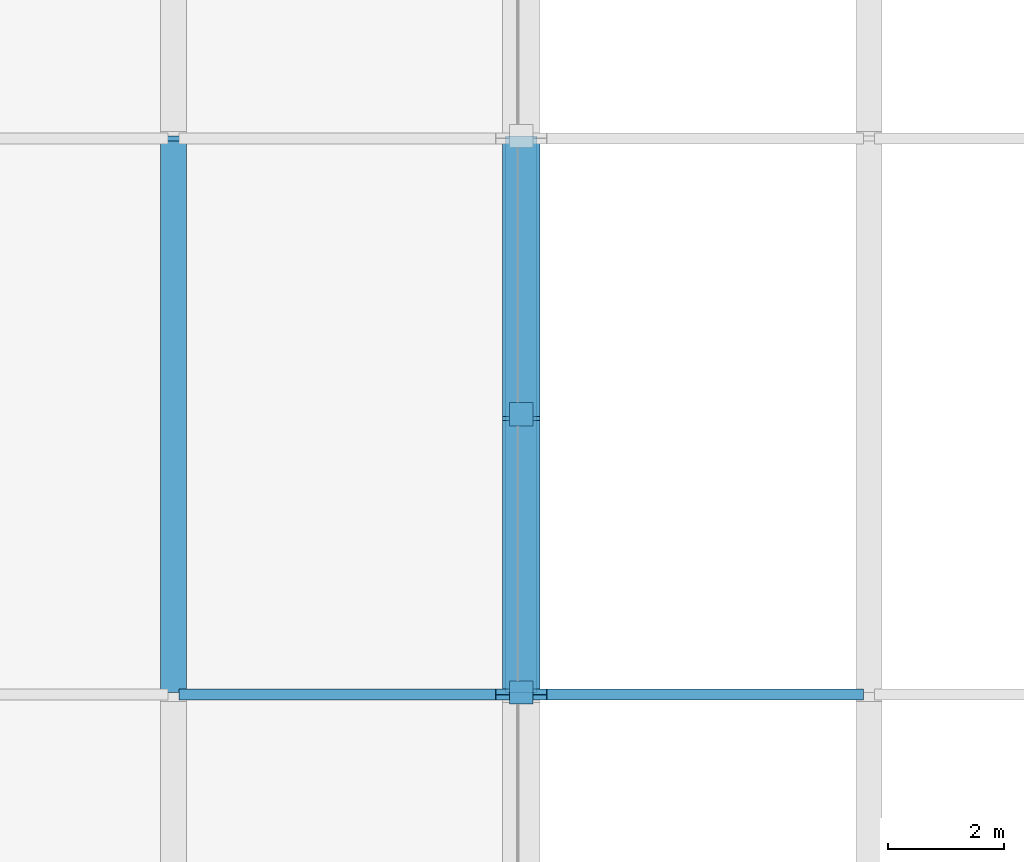
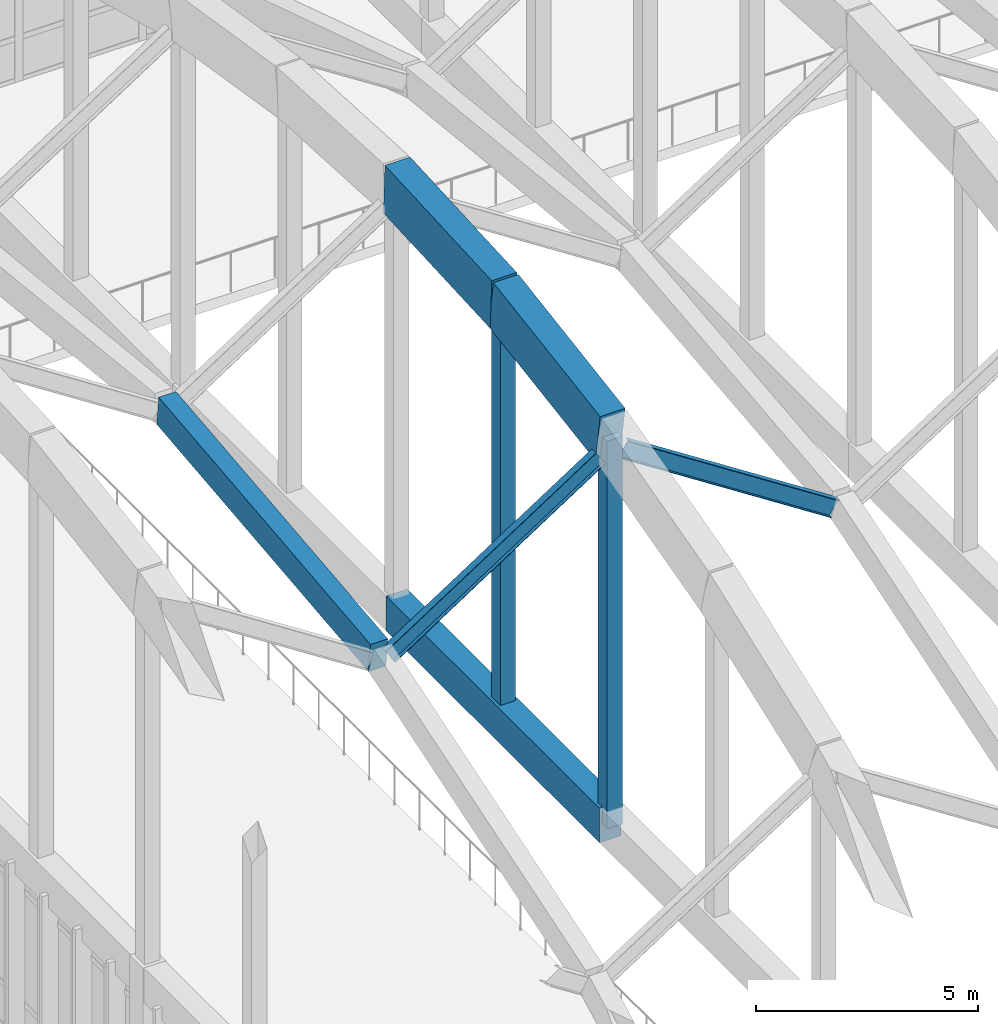
# One storey, part 42 of 236: 4 beams, 4 members.
"""IFC4 building model written with IfcOpenShell, lengths in metres."""

from ifc_helpers import new_model, si_unit, direction, frame, origin, origin_2d, place, context, subcontext, project, spatial, rectangle, i_section, extrude, material, material_profile, profile_set, type_object, element, save


model = new_model("IFC4")

# Units and contexts
model_context = context("Model", 3, precision=1e-05, world=origin(), true_north=direction((0.0, 1.0)))
body_context = subcontext(model_context, "Body", "Model", "MODEL_VIEW")
ifc_project = project(units=[si_unit("LENGTHUNIT", "METRE"), si_unit("AREAUNIT", "SQUARE_METRE"), si_unit("VOLUMEUNIT", "CUBIC_METRE"), si_unit("PLANEANGLEUNIT", "RADIAN"), si_unit("MASSUNIT", "GRAM", prefix="KILO")], contexts=[model_context])

# Site, building, storey
site_placement = place(None, origin())
site = spatial("IfcSite", under=ifc_project, at=site_placement, CompositionType="ELEMENT")
building_placement = place(site_placement, origin())
building = spatial("IfcBuilding", under=site, at=building_placement, Name="Pandanus Reach Market Hall", CompositionType="ELEMENT")
storey_placement = place(building_placement, frame((0.0, 0.0, 5.39990234375)))
storey = spatial("IfcBuildingStorey", under=building, at=storey_placement, Name="L01", CompositionType="ELEMENT", Elevation=5.39990234375)

# Members
ifc_material_1 = material(Name="Concrete N50 (50 MPa)", Category="concrete")
ifc_material_profile_1 = material_profile(ifc_material_1, rectangle(XDim=0.64990234375, YDim=1.35009765625, at=origin_2d()), Name="RC650x1350", Category="LoadBearing")
ifc_profile_set_1 = profile_set([ifc_material_profile_1], Name="Concrete N50 (50 MPa)")
member_type_1 = type_object("IfcMemberType", Name="AR-RC650-E", PredefinedType="CHORD", material=ifc_profile_set_1)
member_1_placement = place(storey_placement, frame((60.0, 48.0, 15.9580078125), z_axis=(0.0, 0.987485724156, 0.15770841635), x_axis=(-1.0, 0.0, 0.0)))
element("IfcMember", 1, at=member_1_placement, inside=storey, type_object=member_type_1, Name="Parabolic arch top chord A2.5", PredefinedType="CHORD", context=body_context, shape_type="SweptSolid", body=[
    extrude(rectangle(XDim=0.64990234375, YDim=1.35009765625, at=origin_2d()), origin(), (0.0, 0.0, 1.0), 4.86083984375),
])
member_2_placement = place(storey_placement, frame((60.0, 52.800048828125, 16.724609375), z_axis=(0.0, 0.998587783012, 0.053126637558), x_axis=(-1.0, 0.0, 0.0)))
element("IfcMember", 2, at=member_2_placement, inside=storey, type_object=member_type_1, Name="Parabolic arch top chord A2.6", PredefinedType="CHORD", context=body_context, shape_type="SweptSolid", body=[
    extrude(rectangle(XDim=0.64990234375, YDim=1.35009765625, at=origin_2d()), origin(), (0.0, 0.0, 1.0), 4.806884765625),
])
ifc_material_profile_2 = material_profile(ifc_material_1, rectangle(XDim=0.39990234375, YDim=0.39990234375, at=origin_2d()), Name="RC400x400", Category="LoadBearing")
ifc_profile_set_2 = profile_set([ifc_material_profile_2], Name="Concrete N50 (50 MPa)")
member_type_2 = type_object("IfcMemberType", Name="AR-WEB400-E", PredefinedType="STRUT", material=ifc_profile_set_2)
member_3_placement = place(storey_placement, frame((60.0, 48.0, 5.3251953125), z_axis=(0.0, 0.0, 1.0), x_axis=(1.0, 0.0, 0.0)))
element("IfcMember", 3, at=member_3_placement, inside=storey, type_object=member_type_2, Name="Arch truss vertical web strut A2.4", PredefinedType="STRUT", context=body_context, shape_type="SweptSolid", body=[
    extrude(rectangle(XDim=0.39990234375, YDim=0.39990234375, at=origin_2d()), origin(), (0.0, 0.0, 1.0), 10.6328125),
])
member_4_placement = place(storey_placement, frame((60.0, 52.800048828125, 5.3251953125), z_axis=(0.0, 0.0, 1.0), x_axis=(1.0, 0.0, 0.0)))
element("IfcMember", 4, at=member_4_placement, inside=storey, type_object=member_type_2, Name="Arch truss vertical web strut A2.5", PredefinedType="STRUT", context=body_context, shape_type="SweptSolid", body=[
    extrude(rectangle(XDim=0.39990234375, YDim=0.39990234375, at=origin_2d()), origin(), (0.0, 0.0, 1.0), 11.3994140625),
])

# Beams
ifc_material_2 = material(Name="Concrete N40 (40 MPa)", Category="concrete")
ifc_material_profile_3 = material_profile(ifc_material_2, rectangle(XDim=0.449951171875, YDim=0.800048828125, at=origin_2d()), Name="RC450x800", Category="LoadBearing")
ifc_profile_set_3 = profile_set([ifc_material_profile_3], Name="Concrete N40 (40 MPa)")
beam_type_1 = type_object("IfcBeamType", Name="BM-RC450-I", PredefinedType="BEAM", material=ifc_profile_set_3)
beam_1_placement = place(storey_placement, frame((54.0, 48.0400390625, 11.976318359375), z_axis=(0.0, 0.99437897786, 0.105879404936), x_axis=(-1.0, 0.0, 0.0)))
element("IfcBeam", 5, at=beam_1_placement, inside=storey, type_object=beam_type_1, Name="Butterfly valley beam B1.4", PredefinedType="BEAM", context=body_context, shape_type="SweptSolid", body=[
    extrude(rectangle(XDim=0.449951171875, YDim=0.800048828125, at=origin_2d()), origin(), (0.0, 0.0, 1.0), 9.57373046875),
])
ifc_material_profile_4 = material_profile(ifc_material_1, rectangle(XDim=0.550048828125, YDim=0.949951171875, at=origin_2d()), Name="RC550x950", Category="LoadBearing")
ifc_profile_set_4 = profile_set([ifc_material_profile_4], Name="Concrete N50 (50 MPa)")
beam_type_2 = type_object("IfcBeamType", Name="BM-RC550-I", PredefinedType="BEAM", material=ifc_profile_set_4)
beam_2_placement = place(storey_placement, frame((60.0, 48.0, 5.3251953125), z_axis=(0.0, 1.0, 0.0), x_axis=(-1.0, 0.0, 0.0)))
element("IfcBeam", 6, at=beam_2_placement, inside=storey, type_object=beam_type_2, Name="Parabolic arch tie girder A2.3", PredefinedType="BEAM", context=body_context, shape_type="SweptSolid", body=[
    extrude(rectangle(XDim=0.550048828125, YDim=0.949951171875, at=origin_2d()), origin(), (0.0, 0.0, 1.0), 9.60009765625),
])
ifc_material_3 = material(Name="Steel Grade 350 (350 MPa)", Category="steel")
ifc_material_profile_5 = material_profile(ifc_material_3, i_section(OverallWidth=0.18994140625, OverallDepth=0.45703125, WebThickness=0.009033203125, FlangeThickness=0.014404296875, at=origin_2d()), Name="460UB74.6", Category="LoadBearing")
ifc_profile_set_5 = profile_set([ifc_material_profile_5], Name="Steel Grade 350 (350 MPa)")
beam_type_3 = type_object("IfcBeamType", Name="BM-UB460-I", PredefinedType="BEAM", material=ifc_profile_set_5)
for number, where, z_axis, x_axis, name in (
    (7, (54.219970703125, 47.9599609375, 11.959228515625), (0.839070527962, 0.0, 0.544022654956), (0.0, 1.0, 0.0), "Butterfly transverse rib B1.3R"),
    (8, (60.320068359375, 47.9599609375, 15.499267578125), (0.839070527962, 0.0, -0.544022654956), (0.0, 1.0, 0.0), "Butterfly transverse rib B2.3L"),
):
    element("IfcBeam", number, at=place(storey_placement, frame(where, z_axis=z_axis, x_axis=x_axis)), inside=storey, type_object=beam_type_3, Name=name, PredefinedType="BEAM", context=body_context, shape_type="SweptSolid", body=[
        extrude(i_section(OverallWidth=0.18994140625, OverallDepth=0.45703125, WebThickness=0.009033203125, FlangeThickness=0.014404296875, at=origin_2d()), origin(), (0.0, 0.0, 1.0), 6.507080078125),
    ])

save(model, "model.ifc")
